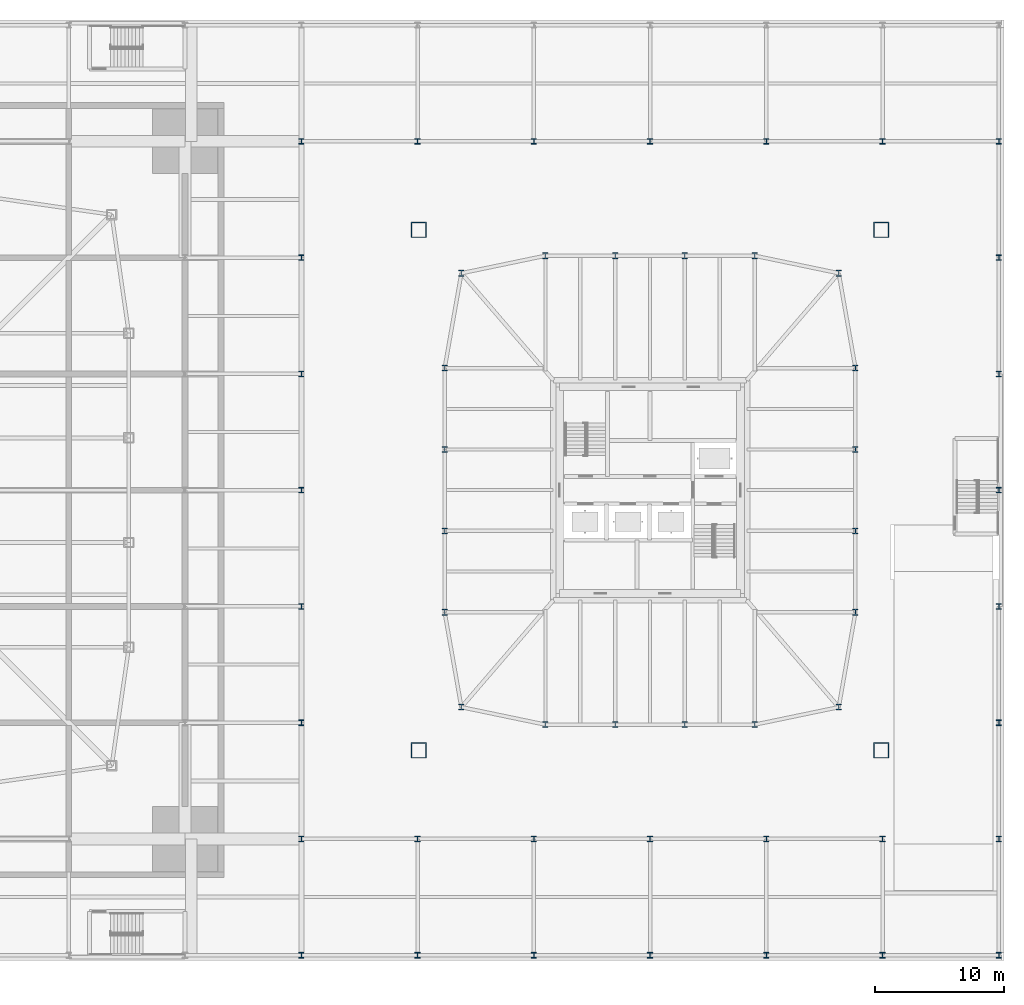
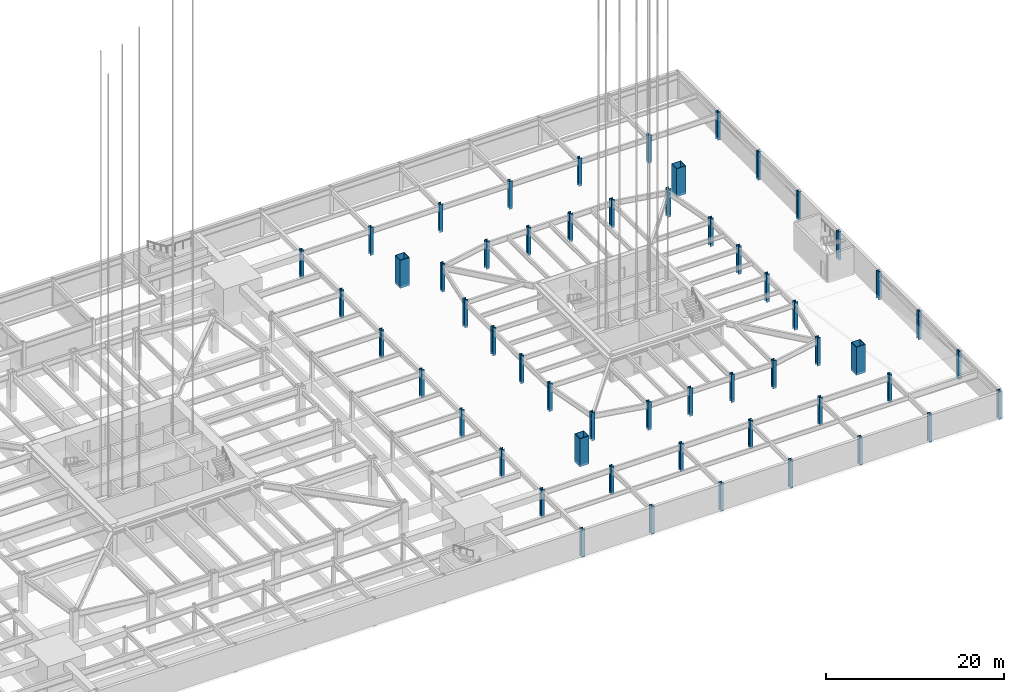
# One storey, part 3 of 35: 55 columns.
"""IFC4 building model written with IfcOpenShell, lengths in metres."""

import ifcopenshell
import ifcopenshell.guid

model = None  # the IFC model being written
_history = None  # IfcOwnerHistory: only IFC2X3 demands one
_inside = {}  # id of a spatial element -> (the spatial element, [elements in it])
_under = {}  # id of a project, library or spatial element -> (it, [spatial elements below it])
_declared = {}  # id of a project -> (the project, [libraries it declares])
_typed = {}  # id of a type object -> (the type object, [elements of that type])
_made_of = {}  # id of a material, layer set ... -> (it, [elements and type objects made of it])


def new_model(schema):
    """Start an empty IFC model of exactly this schema.

    Asked for "IFC4X3", IfcOpenShell would pick the latest addendum, in which some entities
    have other attributes; the version numbers below select the first issue.
    IFC2X3 requires an IfcOwnerHistory on every rooted entity: one is made here for all.
    """
    global model, _history
    if schema == "IFC4X3":
        model = ifcopenshell.file(schema_version=(4, 3, 0, 0))
    else:
        model = ifcopenshell.file(schema=schema)
    _inside.clear()
    _under.clear()
    _declared.clear()
    _typed.clear()
    _made_of.clear()
    _history = None
    if model.schema == "IFC2X3":
        org = make("IfcOrganization", Name="unknown")
        user = make(
            "IfcPersonAndOrganization",
            ThePerson=make("IfcPerson", FamilyName="unknown"),
            TheOrganization=org,
        )
        app = make(
            "IfcApplication",
            ApplicationDeveloper=org,
            Version="unknown",
            ApplicationFullName="unknown",
            ApplicationIdentifier="unknown",
        )
        _history = make(
            "IfcOwnerHistory",
            OwningUser=user,
            OwningApplication=app,
            ChangeAction="ADDED",
            CreationDate=0,
        )
    return model


def make(cls, **values):
    """One entity of the class cls with the attributes given. An attribute that is None is left unset."""
    return model.create_entity(
        cls, **{name: value for name, value in values.items() if value is not None}
    )


def rooted(cls, **values):
    """An entity with a GlobalId (a new one), such as an element, a storey or a relation."""
    return make(cls, GlobalId=ifcopenshell.guid.new(), OwnerHistory=_history, **values)


def si_unit(unit_type, name, prefix=None):
    """IfcSIUnit, for example si_unit("LENGTHUNIT", "METRE", prefix="MILLI")."""
    return make("IfcSIUnit", UnitType=unit_type, Prefix=prefix, Name=name)


def assignment(units):
    """IfcUnitAssignment: the units of a project."""
    return None if units is None else make("IfcUnitAssignment", Units=units)


def point(xyz):
    """IfcCartesianPoint."""
    return None if xyz is None else make("IfcCartesianPoint", Coordinates=xyz)


def direction(xyz):
    """IfcDirection."""
    return None if xyz is None else make("IfcDirection", DirectionRatios=xyz)


def frame(location, z_axis=None, x_axis=None):
    """IfcAxis2Placement3D, a coordinate frame: its origin and axes. An axis left out is left unset."""
    return make(
        "IfcAxis2Placement3D",
        Location=point(location),
        Axis=direction(z_axis),
        RefDirection=direction(x_axis),
    )


def frame_2d(location, x_axis=None):
    """IfcAxis2Placement2D, a coordinate frame in the plane: its origin and x axis."""
    return make(
        "IfcAxis2Placement2D", Location=point(location), RefDirection=direction(x_axis)
    )


def origin():
    """The frame at (0, 0, 0) with its axes left unset."""
    return frame((0.0, 0.0, 0.0))


def origin_2d():
    """The frame at (0, 0) in the plane with its x axis left unset."""
    return frame_2d((0.0, 0.0))


def place(relative_to, where):
    """IfcLocalPlacement: puts the frame where relative to a parent placement (None: the world)."""
    return make(
        "IfcLocalPlacement", PlacementRelTo=relative_to, RelativePlacement=where
    )


def context(
    kind, dimensions, precision=None, world=None, true_north=None, identifier=None
):
    """IfcGeometricRepresentationContext, for example the 3D "Model" context."""
    return make(
        "IfcGeometricRepresentationContext",
        ContextIdentifier=identifier,
        ContextType=kind,
        CoordinateSpaceDimension=dimensions,
        Precision=precision,
        WorldCoordinateSystem=world,
        TrueNorth=true_north,
    )


def subcontext(parent, identifier, kind, view, scale=None):
    """IfcGeometricRepresentationSubContext, for example "Body" below "Model"."""
    return make(
        "IfcGeometricRepresentationSubContext",
        ContextIdentifier=identifier,
        ContextType=kind,
        ParentContext=parent,
        TargetScale=scale,
        TargetView=view,
    )


def project(units=None, contexts=None):
    """IfcProject with its units and contexts."""
    return rooted(
        "IfcProject",
        Name="project",
        RepresentationContexts=contexts,
        UnitsInContext=assignment(units),
    )


def spatial(cls, under=None, at=None, **own):
    """A site, building, storey or space (cls), placed at a placement, below another one or the project."""
    s = rooted(cls, ObjectPlacement=at, **own)
    if under is not None:
        _under.setdefault(under.id(), (under, []))[1].append(s)
    return s


def profile(cls, at=None, kind="AREA", **sizes):
    """A parametric profile (cls). Its sizes go by their IFC names, for example OverallWidth=200.0."""
    return make(cls, ProfileType=kind, Position=at, **sizes)


def hollow_rectangle(**sizes):
    """IfcRectangleHollowProfileDef."""
    return profile("IfcRectangleHollowProfileDef", **sizes)


def i_section(**sizes):
    """IfcIShapeProfileDef."""
    return profile("IfcIShapeProfileDef", **sizes)


def extrude(swept, where, along, depth):
    """IfcExtrudedAreaSolid: the profile swept, set in the frame where, extruded along a direction by depth."""
    return make(
        "IfcExtrudedAreaSolid",
        SweptArea=swept,
        Position=where,
        ExtrudedDirection=direction(along),
        Depth=depth,
    )


def shape(context_of_items, identifier, shape_type, items):
    """IfcShapeRepresentation: the items that make up one representation, for example the "Body"."""
    return make(
        "IfcShapeRepresentation",
        ContextOfItems=context_of_items,
        RepresentationIdentifier=identifier,
        RepresentationType=shape_type,
        Items=items,
    )


def material(Name=None, Category=None):
    """IfcMaterial."""
    return make("IfcMaterial", Name=Name, Category=Category)


def material_profile(
    of_material, cross_section, Name=None, Category=None, Priority=None
):
    """IfcMaterialProfile: a cross section and its material."""
    return make(
        "IfcMaterialProfile",
        Name=Name,
        Material=of_material,
        Profile=cross_section,
        Priority=Priority,
        Category=Category,
    )


def profile_set(profiles, Name=None, composite=None):
    """IfcMaterialProfileSet."""
    return make(
        "IfcMaterialProfileSet",
        Name=Name,
        MaterialProfiles=profiles,
        CompositeProfile=composite,
    )


def made_of(thing, what):
    """Note that an element or type object is made of a material, layer set ...; save() writes the relation."""
    if what is not None:
        _made_of.setdefault(what.id(), (what, []))[1].append(thing)
    return thing


def type_object(cls, material=None, **own):
    """A type object (cls), such as IfcWallType, which elements share."""
    return made_of(rooted(cls, **own), material)


def element(
    cls,
    number,
    at=None,
    inside=None,
    cuts=None,
    type_object=None,
    material=None,
    context=None,
    identifier="Body",
    shape_type=None,
    held_by="IfcProductDefinitionShape",
    body=None,
    shapes=None,
    **own,
):
    """One element of the class cls, such as IfcWall. Its Tag is "e" and its number.

    at: its placement. inside: the storey or other place that contains it. cuts: it is an
    opening in that element (IfcRelVoidsElement). A single representation is given by context,
    identifier, shape_type and body (its items); several are given by shapes. held_by: the class
    of the entity that holds the representations. save() writes the other relations.
    """
    e = rooted(cls, Tag="e%d" % number, ObjectPlacement=at, **own)
    if body is not None:
        shapes = [shape(context, identifier, shape_type, body)]
    if shapes is not None:
        e.Representation = make(held_by, Representations=shapes)
    if inside is not None:
        _inside.setdefault(inside.id(), (inside, []))[1].append(e)
    if cuts is not None:
        rooted(
            "IfcRelVoidsElement", RelatingBuildingElement=cuts, RelatedOpeningElement=e
        )
    if type_object is not None:
        _typed.setdefault(type_object.id(), (type_object, []))[1].append(e)
    return made_of(e, material)


def aggregate(whole, parts):
    """IfcRelAggregates: a whole, such as a stair, and the parts it consists of."""
    return rooted("IfcRelAggregates", RelatingObject=whole, RelatedObjects=parts)


def save(model, path):
    """Write the relations noted so far, then the file.

    IfcRelAggregates (storeys below a building ...), IfcRelContainedInSpatialStructure (elements
    in a storey), IfcRelDefinesByType, IfcRelAssociatesMaterial and IfcRelDeclares: one each for
    every whole, place, type object, material and project.
    """
    for whole, parts in _under.values():
        aggregate(whole, parts)
    for where, things in _inside.values():
        rooted(
            "IfcRelContainedInSpatialStructure",
            RelatedElements=things,
            RelatingStructure=where,
        )
    for kind, things in _typed.values():
        rooted("IfcRelDefinesByType", RelatedObjects=things, RelatingType=kind)
    for what, things in _made_of.values():
        rooted("IfcRelAssociatesMaterial", RelatedObjects=things, RelatingMaterial=what)
    for by, libraries in _declared.values():
        rooted("IfcRelDeclares", RelatingContext=by, RelatedDefinitions=libraries)
    model.write(path)


model = new_model("IFC4")

# Units and contexts
model_context = context("Model", 3, precision=1e-05, world=origin(), true_north=direction((0.0, 1.0)))
body_context = subcontext(model_context, "Body", "Model", "MODEL_VIEW")
ifc_project = project(units=[si_unit("LENGTHUNIT", "METRE"), si_unit("AREAUNIT", "SQUARE_METRE"), si_unit("VOLUMEUNIT", "CUBIC_METRE"), si_unit("PLANEANGLEUNIT", "RADIAN"), si_unit("MASSUNIT", "GRAM", prefix="KILO")], contexts=[model_context])

# Site, building, storey
site_placement = place(None, origin())
site = spatial("IfcSite", under=ifc_project, at=site_placement, CompositionType="ELEMENT")
building_placement = place(site_placement, origin())
building = spatial("IfcBuilding", under=site, at=building_placement, Name="Iwan Alto Co-Living Towers", CompositionType="ELEMENT")
storey_placement = place(building_placement, frame((0.0, 0.0, -7.199951171875)))
storey = spatial("IfcBuildingStorey", under=building, at=storey_placement, Name="B2", CompositionType="ELEMENT", Elevation=-7.199951171875)

# Columns
ifc_material_1 = material(Name="Steel ASTM A992 Gr 50", Category="steel")
ifc_material_profile_1 = material_profile(ifc_material_1, i_section(OverallWidth=0.411376953125, OverallDepth=0.434326171875, WebThickness=0.035888671875, FlangeThickness=0.057373046875, at=origin_2d()), Name="W14X311")
ifc_profile_set_1 = profile_set([ifc_material_profile_1], Name="Steel ASTM A992 Gr 50")
column_type_1 = type_object("IfcColumnType", Name="PODIUM COLUMN W14X311", PredefinedType="COLUMN", material=ifc_profile_set_1)
for number, where, z_axis, x_axis, name in (
    (1, (36.0, -36.0, -0.25), (0.0, 0.0, 1.0), (1.0, 0.0, 0.0), "Podium column 9/A B2"),
    (2, (36.0, -27.0, -0.25), (0.0, 0.0, 1.0), (1.0, 0.0, 0.0), "Podium column 9/B B2"),
    (3, (36.0, -18.0, -0.25), (0.0, 0.0, 1.0), (1.0, 0.0, 0.0), "Podium column 9/C B2"),
    (4, (36.0, -9.0, -0.25), (0.0, 0.0, 1.0), (1.0, 0.0, 0.0), "Podium column 9/D B2"),
    (5, (36.0, 0.0, -0.25), (0.0, 0.0, 1.0), (1.0, 0.0, 0.0), "Podium column 9/E B2"),
    (6, (36.0, 9.0, -0.25), (0.0, 0.0, 1.0), (1.0, 0.0, 0.0), "Podium column 9/F B2"),
    (7, (36.0, 18.0, -0.25), (0.0, 0.0, 1.0), (1.0, 0.0, 0.0), "Podium column 9/G B2"),
    (8, (36.0, 27.0, -0.25), (0.0, 0.0, 1.0), (1.0, 0.0, 0.0), "Podium column 9/H B2"),
    (9, (45.0, -36.0, -0.25), (0.0, 0.0, 1.0), (1.0, 0.0, 0.0), "Podium column 10/A B2"),
    (10, (45.0, -27.0, -0.25), (0.0, 0.0, 1.0), (1.0, 0.0, 0.0), "Podium column 10/B B2"),
    (11, (45.0, 27.0, -0.25), (0.0, 0.0, 1.0), (1.0, 0.0, 0.0), "Podium column 10/H B2"),
    (12, (54.0, -36.0, -0.25), (0.0, 0.0, 1.0), (1.0, 0.0, 0.0), "Podium column 11/A B2"),
    (13, (54.0, -27.0, -0.25), (0.0, 0.0, 1.0), (1.0, 0.0, 0.0), "Podium column 11/B B2"),
    (14, (54.0, 27.0, -0.25), (0.0, 0.0, 1.0), (1.0, 0.0, 0.0), "Podium column 11/H B2"),
    (15, (63.0, -36.0, -0.25), (0.0, 0.0, 1.0), (1.0, 0.0, 0.0), "Podium column 12/A B2"),
    (16, (63.0, -27.0, -0.25), (0.0, 0.0, 1.0), (1.0, 0.0, 0.0), "Podium column 12/B B2"),
    (17, (63.0, 27.0, -0.25), (0.0, 0.0, 1.0), (1.0, 0.0, 0.0), "Podium column 12/H B2"),
    (18, (72.0, -36.0, -0.25), (0.0, 0.0, 1.0), (1.0, 0.0, 0.0), "Podium column 13/A B2"),
    (19, (72.0, -27.0, -0.25), (0.0, 0.0, 1.0), (1.0, 0.0, 0.0), "Podium column 13/B B2"),
    (20, (72.0, 27.0, -0.25), (0.0, 0.0, 1.0), (1.0, 0.0, 0.0), "Podium column 13/H B2"),
    (21, (81.0, -36.0, -0.25), (0.0, 0.0, 1.0), (1.0, 0.0, 0.0), "Podium column 14/A B2"),
    (22, (81.0, -27.0, -0.25), (0.0, 0.0, 1.0), (1.0, 0.0, 0.0), "Podium column 14/B B2"),
    (23, (81.0, 27.0, -0.25), (0.0, 0.0, 1.0), (1.0, 0.0, 0.0), "Podium column 14/H B2"),
    (24, (90.0, -36.0, -0.25), (0.0, 0.0, 1.0), (1.0, 0.0, 0.0), "Podium column 15/A B2"),
    (25, (90.0, -27.0, -0.25), (0.0, 0.0, 1.0), (1.0, 0.0, 0.0), "Podium column 15/B B2"),
    (26, (90.0, -18.0, -0.25), (0.0, 0.0, 1.0), (1.0, 0.0, 0.0), "Podium column 15/C B2"),
    (27, (90.0, -9.0, -0.25), (0.0, 0.0, 1.0), (1.0, 0.0, 0.0), "Podium column 15/D B2"),
    (28, (90.0, 0.0, -0.25), (0.0, 0.0, 1.0), (1.0, 0.0, 0.0), "Podium column 15/E B2"),
    (29, (90.0, 9.0, -0.25), (0.0, 0.0, 1.0), (1.0, 0.0, 0.0), "Podium column 15/F B2"),
    (30, (90.0, 18.0, -0.25), (0.0, 0.0, 1.0), (1.0, 0.0, 0.0), "Podium column 15/G B2"),
    (31, (90.0, 27.0, -0.25), (0.0, 0.0, 1.0), (1.0, 0.0, 0.0), "Podium column 15/H B2"),
):
    element("IfcColumn", number, at=place(storey_placement, frame(where, z_axis=z_axis, x_axis=x_axis)), inside=storey, type_object=column_type_1, Name=name, PredefinedType="COLUMN", context=body_context, shape_type="SweptSolid", body=[
        extrude(i_section(OverallWidth=0.411376953125, OverallDepth=0.434326171875, WebThickness=0.035888671875, FlangeThickness=0.057373046875, at=origin_2d()), origin(), (0.0, 0.0, 1.0), 3.849853515625),
    ])
ifc_material_2 = material(Name="Steel ASTM A572 Gr 50", Category="steel")
ifc_material_profile_2 = material_profile(ifc_material_2, hollow_rectangle(XDim=1.199951171875, YDim=1.199951171875, WallThickness=0.070068359375, at=origin_2d()), Name="BOX 1200X1200X70")
ifc_profile_set_2 = profile_set([ifc_material_profile_2], Name="Steel ASTM A572 Gr 50")
column_type_2 = type_object("IfcColumnType", Name="T2 MEGA COLUMN BOX 1200X1200X70", PredefinedType="COLUMN", material=ifc_profile_set_2)
for number, where, z_axis, x_axis, name in (
    (32, (45.10009765625, -20.14990234375, -0.25), (0.0, 0.0, 1.0), (1.0, 0.0, 0.0), "T2 mega column SW B2"),
    (33, (80.89990234375, -20.14990234375, -0.25), (0.0, 0.0, 1.0), (1.0, 0.0, 0.0), "T2 mega column SE B2"),
    (34, (80.89990234375, 20.14990234375, -0.25), (0.0, 0.0, 1.0), (1.0, 0.0, 0.0), "T2 mega column NE B2"),
    (35, (45.10009765625, 20.14990234375, -0.25), (0.0, 0.0, 1.0), (1.0, 0.0, 0.0), "T2 mega column NW B2"),
):
    element("IfcColumn", number, at=place(storey_placement, frame(where, z_axis=z_axis, x_axis=x_axis)), inside=storey, type_object=column_type_2, Name=name, PredefinedType="COLUMN", context=body_context, shape_type="SweptSolid", body=[
        extrude(hollow_rectangle(XDim=1.199951171875, YDim=1.199951171875, WallThickness=0.070068359375, at=origin_2d()), origin(), (0.0, 0.0, 1.0), 3.849853515625),
    ])
ifc_material_3 = material(Name="Steel ASTM A992 Gr 50", Category="steel")
ifc_material_profile_3 = material_profile(ifc_material_3, i_section(OverallWidth=0.424072265625, OverallDepth=0.47509765625, WebThickness=0.0478515625, FlangeThickness=0.0771484375, at=origin_2d()), Name="W14X426")
ifc_profile_set_3 = profile_set([ifc_material_profile_3], Name="Steel ASTM A992 Gr 50")
column_type_3 = type_object("IfcColumnType", Name="T2 RING COLUMN W14X426", PredefinedType="COLUMN", material=ifc_profile_set_3)
for number, where, z_axis, x_axis, name in (
    (36, (48.393798828125, -16.797119140625, -0.25), (0.0, 0.0, 1.0), (1.0, 0.0, 0.0), "T2 ring column CSW B2"),
    (37, (54.89990234375, -18.14990234375, -0.25), (0.0, 0.0, 1.0), (1.0, 0.0, 0.0), "T2 ring column S1 B2"),
    (38, (60.300048828125, -18.14990234375, -0.25), (0.0, 0.0, 1.0), (1.0, 0.0, 0.0), "T2 ring column S2 B2"),
    (39, (65.699951171875, -18.14990234375, -0.25), (0.0, 0.0, 1.0), (1.0, 0.0, 0.0), "T2 ring column S3 B2"),
    (40, (71.10009765625, -18.14990234375, -0.25), (0.0, 0.0, 1.0), (1.0, 0.0, 0.0), "T2 ring column S4 B2"),
    (41, (77.606201171875, -16.797119140625, -0.25), (0.0, 0.0, 1.0), (1.0, 0.0, 0.0), "T2 ring column CSE B2"),
    (42, (78.89990234375, -9.449951171875, -0.25), (0.0, 0.0, 1.0), (1.0, 0.0, 0.0), "T2 ring column E1 B2"),
    (43, (78.89990234375, -3.14990234375, -0.25), (0.0, 0.0, 1.0), (1.0, 0.0, 0.0), "T2 ring column E2 B2"),
    (44, (78.89990234375, 3.14990234375, -0.25), (0.0, 0.0, 1.0), (1.0, 0.0, 0.0), "T2 ring column E3 B2"),
    (45, (78.89990234375, 9.449951171875, -0.25), (0.0, 0.0, 1.0), (1.0, 0.0, 0.0), "T2 ring column E4 B2"),
    (46, (77.606201171875, 16.797119140625, -0.25), (0.0, 0.0, 1.0), (1.0, 0.0, 0.0), "T2 ring column CNE B2"),
    (47, (71.10009765625, 18.14990234375, -0.25), (0.0, 0.0, 1.0), (1.0, 0.0, 0.0), "T2 ring column N1 B2"),
    (48, (65.699951171875, 18.14990234375, -0.25), (0.0, 0.0, 1.0), (1.0, 0.0, 0.0), "T2 ring column N2 B2"),
    (49, (60.300048828125, 18.14990234375, -0.25), (0.0, 0.0, 1.0), (1.0, 0.0, 0.0), "T2 ring column N3 B2"),
    (50, (54.89990234375, 18.14990234375, -0.25), (0.0, 0.0, 1.0), (1.0, 0.0, 0.0), "T2 ring column N4 B2"),
    (51, (48.393798828125, 16.797119140625, -0.25), (0.0, 0.0, 1.0), (1.0, 0.0, 0.0), "T2 ring column CNW B2"),
    (52, (47.10009765625, 9.449951171875, -0.25), (0.0, 0.0, 1.0), (1.0, 0.0, 0.0), "T2 ring column W1 B2"),
    (53, (47.10009765625, 3.14990234375, -0.25), (0.0, 0.0, 1.0), (1.0, 0.0, 0.0), "T2 ring column W2 B2"),
    (54, (47.10009765625, -3.14990234375, -0.25), (0.0, 0.0, 1.0), (1.0, 0.0, 0.0), "T2 ring column W3 B2"),
    (55, (47.10009765625, -9.449951171875, -0.25), (0.0, 0.0, 1.0), (1.0, 0.0, 0.0), "T2 ring column W4 B2"),
):
    element("IfcColumn", number, at=place(storey_placement, frame(where, z_axis=z_axis, x_axis=x_axis)), inside=storey, type_object=column_type_3, Name=name, PredefinedType="COLUMN", context=body_context, shape_type="SweptSolid", body=[
        extrude(i_section(OverallWidth=0.424072265625, OverallDepth=0.47509765625, WebThickness=0.0478515625, FlangeThickness=0.0771484375, at=origin_2d()), origin(), (0.0, 0.0, 1.0), 3.849853515625),
    ])

save(model, "model.ifc")
